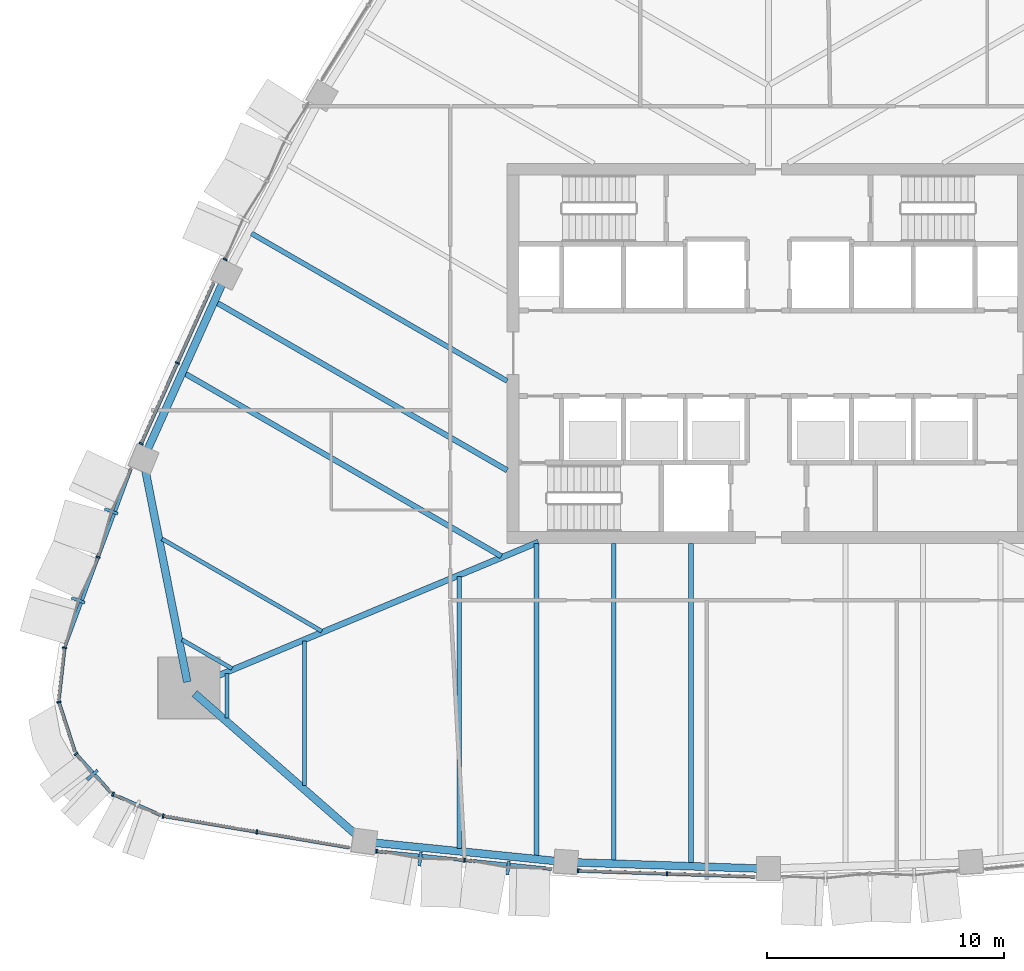
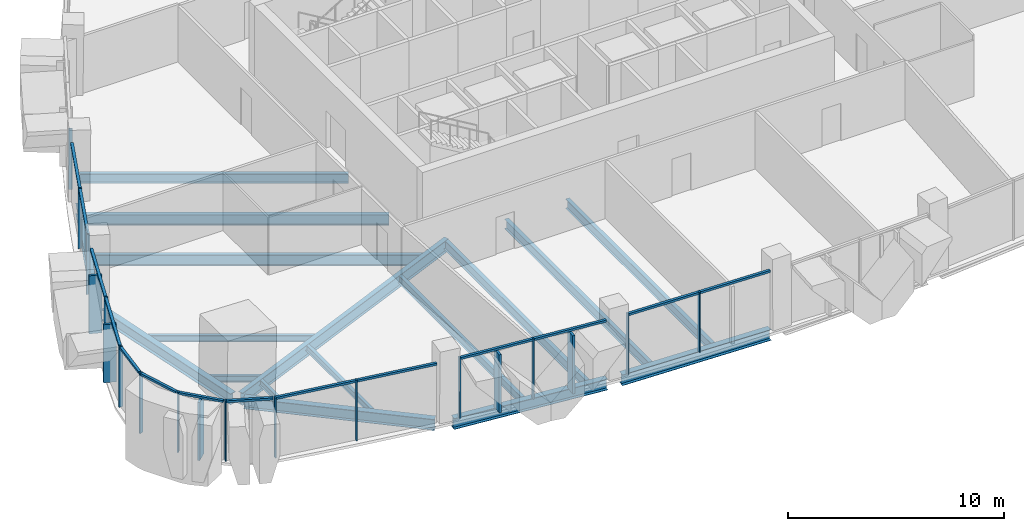
# One storey, part 2 of 17: 33 members, 17 beams, 10 elements without a shape of their own.
"""IFC4 building model written with IfcOpenShell, lengths in metres."""

from ifc_helpers import new_model, si_unit, direction, frame, origin, origin_2d, place, context, subcontext, project, spatial, rectangle, i_section, extrude, material, layer, layer_set, material_profile, profile_set, type_object, element, aggregate, save


model = new_model("IFC4")

# Units and contexts
model_context = context("Model", 3, precision=1e-05, world=origin(), true_north=direction((0.0, 1.0)))
body_context = subcontext(model_context, "Body", "Model", "MODEL_VIEW")
ifc_project = project(units=[si_unit("LENGTHUNIT", "METRE"), si_unit("AREAUNIT", "SQUARE_METRE"), si_unit("VOLUMEUNIT", "CUBIC_METRE"), si_unit("PLANEANGLEUNIT", "RADIAN"), si_unit("MASSUNIT", "GRAM", prefix="KILO")], contexts=[model_context])

# Site, building, storey
site_placement = place(None, origin())
site = spatial("IfcSite", under=ifc_project, at=site_placement, CompositionType="ELEMENT")
building_placement = place(site_placement, origin())
building = spatial("IfcBuilding", under=site, at=building_placement, Name="Sierra Prisma Convention Tower", CompositionType="ELEMENT")
storey_placement = place(building_placement, frame((0.0, 0.0, 149.800048828125)))
storey = spatial("IfcBuildingStorey", under=building, at=storey_placement, Name="L32", CompositionType="ELEMENT", Elevation=149.800048828125)

# Curtain wall, members
ifc_material_1 = material(Name="Aluminium and glass curtain wall", Category="aluminium")
ifc_layer_1 = layer(ifc_material_1, 0.179931640625)
ifc_layer_set_1 = layer_set([ifc_layer_1], Name="CW-2 Faceted crystal curtain wall")
curtain_wall_type_1 = type_object("IfcCurtainWallType", Name="CW-2 Faceted crystal curtain wall", PredefinedType="NOTDEFINED", material=ifc_layer_set_1)
curtain_wall_1_placement = place(storey_placement, origin())
curtain_wall_1 = element("IfcCurtainWall", 1, at=curtain_wall_1_placement, inside=storey, type_object=curtain_wall_type_1, Name="CW-2 S2 L32", PredefinedType="NOTDEFINED")
ifc_material_2 = material(Name="Aluminium 6063-T6 bronze anodised", Category="aluminium")
ifc_material_profile_1 = material_profile(ifc_material_2, rectangle(XDim=0.1201171875, YDim=0.60009765625, at=origin_2d()), Name="ALU RIDGE BLADE 120x600")
ifc_profile_set_1 = profile_set([ifc_material_profile_1], Name="Aluminium 6063-T6 bronze anodised")
member_type_1 = type_object("IfcMemberType", Name="CW hip bronze", PredefinedType="MULLION", material=ifc_profile_set_1)
member_1_placement = place(storey_placement, frame((-14.662841796875, -21.301025390625, 0.0), z_axis=(0.0, 0.0, 1.0), x_axis=(0.994927207032, -0.10059747863, 0.0)))
member_1 = element("IfcMember", 2, at=member_1_placement, type_object=member_type_1, Name="CW-2 ridge S2.1", PredefinedType="MULLION", context=body_context, shape_type="SweptSolid", body=[
    extrude(rectangle(XDim=0.1201171875, YDim=0.60009765625, at=origin_2d()), origin(), (0.0, 0.0, 1.0), 3.280029296875),
])
member_2_placement = place(storey_placement, frame((-10.95751953125, -21.67578125, 0.0), z_axis=(0.0, 0.0, 1.0), x_axis=(0.994927207032, -0.10059747863, 0.0)))
member_2 = element("IfcMember", 3, at=member_2_placement, type_object=member_type_1, Name="CW-2 ridge S2.2", PredefinedType="MULLION", context=body_context, shape_type="SweptSolid", body=[
    extrude(rectangle(XDim=0.1201171875, YDim=0.60009765625, at=origin_2d()), origin(), (0.0, 0.0, 1.0), 3.280029296875),
])

curtain_wall_2_placement = place(storey_placement, origin())
curtain_wall_2 = element("IfcCurtainWall", 4, at=curtain_wall_2_placement, inside=storey, type_object=curtain_wall_type_1, Name="CW-2 NW6 L32", PredefinedType="NOTDEFINED")
member_3_placement = place(storey_placement, frame((-27.676513671875, -6.654541015625, 0.0), z_axis=(0.0, 0.0, 1.0), x_axis=(-0.348201851522, -0.937419580869, 0.0)))
member_3 = element("IfcMember", 5, at=member_3_placement, type_object=member_type_1, Name="CW-2 ridge NW6.1", PredefinedType="MULLION", context=body_context, shape_type="SweptSolid", body=[
    extrude(rectangle(XDim=0.1201171875, YDim=0.60009765625, at=origin_2d()), origin(), (0.0, 0.0, 1.0), 3.280029296875),
])
member_4_placement = place(storey_placement, frame((-29.068115234375, -10.40087890625, 0.0), z_axis=(0.0, 0.0, 1.0), x_axis=(-0.348201851522, -0.937419580869, 0.0)))
member_4 = element("IfcMember", 6, at=member_4_placement, type_object=member_type_1, Name="CW-2 ridge NW6.2", PredefinedType="MULLION", context=body_context, shape_type="SweptSolid", body=[
    extrude(rectangle(XDim=0.1201171875, YDim=0.60009765625, at=origin_2d()), origin(), (0.0, 0.0, 1.0), 3.280029296875),
])

# Curtain wall, member
curtain_wall_3_placement = place(storey_placement, origin())
curtain_wall_3 = element("IfcCurtainWall", 7, at=curtain_wall_3_placement, inside=storey, type_object=curtain_wall_type_1, Name="CW-2 SW3 L32", PredefinedType="NOTDEFINED")
member_5_placement = place(storey_placement, frame((-28.468017578125, -17.758056640625, 0.0), z_axis=(0.0, 0.0, 1.0), x_axis=(0.670597689137, -0.741821231378, 0.0)))
member_5 = element("IfcMember", 8, at=member_5_placement, type_object=member_type_1, Name="CW-2 ridge SW3.1", PredefinedType="MULLION", context=body_context, shape_type="SweptSolid", body=[
    extrude(rectangle(XDim=0.1201171875, YDim=0.60009765625, at=origin_2d()), origin(), (0.0, 0.0, 1.0), 3.280029296875),
])

# Curtain wall, members
ifc_material_3 = material(Name="Aluminium and glass curtain wall", Category="aluminium")
ifc_layer_2 = layer(ifc_material_3, 0.179931640625)
ifc_layer_set_2 = layer_set([ifc_layer_2], Name="CW-1 Plain shaft curtain wall")
curtain_wall_type_2 = type_object("IfcCurtainWallType", Name="CW-1 Plain shaft curtain wall", PredefinedType="NOTDEFINED", material=ifc_layer_set_2)
curtain_wall_4_placement = place(storey_placement, origin())
curtain_wall_4 = element("IfcCurtainWall", 9, at=curtain_wall_4_placement, inside=storey, type_object=curtain_wall_type_2, Name="CW-1 S1 L32", PredefinedType="NOTDEFINED")
ifc_material_4 = material(Name="Aluminium 6063-T6 bronze anodised", Category="aluminium")
ifc_material_profile_2 = material_profile(ifc_material_4, rectangle(XDim=0.179931640625, YDim=0.070068359375, at=origin_2d()), Name="ALU MULLION 70x180")
ifc_profile_set_2 = profile_set([ifc_material_profile_2], Name="Aluminium 6063-T6 bronze anodised")
member_type_2 = type_object("IfcMemberType", Name="CW mullion bronze", PredefinedType="MULLION", material=ifc_profile_set_2)
member_6_placement = place(storey_placement, frame((-25.48583984375, -19.48681640625, 0.0), z_axis=(0.0, 0.0, 1.0), x_axis=(0.167158141372, 0.985930096799, 0.0)))
member_6 = element("IfcMember", 10, at=member_6_placement, type_object=member_type_2, Name="CW-1 mullion S1.1", PredefinedType="MULLION", context=body_context, shape_type="SweptSolid", body=[
    extrude(rectangle(XDim=0.179931640625, YDim=0.070068359375, at=origin_2d()), origin(), (0.0, 0.0, 1.0), 3.39990234375),
])
member_7_placement = place(storey_placement, frame((-21.545654296875, -20.155029296875, 0.0), z_axis=(0.0, 0.0, 1.0), x_axis=(0.167158141372, 0.985930096799, 0.0)))
member_7 = element("IfcMember", 11, at=member_7_placement, type_object=member_type_2, Name="CW-1 mullion S1.2", PredefinedType="MULLION", context=body_context, shape_type="SweptSolid", body=[
    extrude(rectangle(XDim=0.179931640625, YDim=0.070068359375, at=origin_2d()), origin(), (0.0, 0.0, 1.0), 3.39990234375),
])

# Member
member_8_placement = place(storey_placement, frame((-16.5009765625, -20.970703125, 0.0), z_axis=(0.0, 0.0, 1.0), x_axis=(0.10059747863, 0.994927207032, 0.0)))
member_8 = element("IfcMember", 12, at=member_8_placement, type_object=member_type_2, Name="CW-1 mullion S2.1", PredefinedType="MULLION", context=body_context, shape_type="SweptSolid", body=[
    extrude(rectangle(XDim=0.179931640625, YDim=0.070068359375, at=origin_2d()), origin(), (0.0, 0.0, 1.0), 3.39990234375),
])

member_9_placement = place(storey_placement, frame((-12.795654296875, -21.345458984375, 0.0), z_axis=(0.0, 0.0, 1.0), x_axis=(0.10059747863, 0.994927207032, 0.0)))
member_9 = element("IfcMember", 13, at=member_9_placement, type_object=member_type_2, Name="CW-1 mullion S2.2", PredefinedType="MULLION", context=body_context, shape_type="SweptSolid", body=[
    extrude(rectangle(XDim=0.179931640625, YDim=0.070068359375, at=origin_2d()), origin(), (0.0, 0.0, 1.0), 3.39990234375),
])

# Curtain wall, members
curtain_wall_5_placement = place(storey_placement, origin())
curtain_wall_5 = element("IfcCurtainWall", 14, at=curtain_wall_5_placement, inside=storey, type_object=curtain_wall_type_2, Name="CW-1 S3 L32", PredefinedType="NOTDEFINED")
member_10_placement = place(storey_placement, frame((-8.010986328125, -21.792236328125, 0.0), z_axis=(0.0, 0.0, 1.0), x_axis=(0.033582993519, 0.999435932187, 0.0)))
member_10 = element("IfcMember", 15, at=member_10_placement, type_object=member_type_2, Name="CW-1 mullion S3.1", PredefinedType="MULLION", context=body_context, shape_type="SweptSolid", body=[
    extrude(rectangle(XDim=0.179931640625, YDim=0.070068359375, at=origin_2d()), origin(), (0.0, 0.0, 1.0), 3.39990234375),
])
member_11_placement = place(storey_placement, frame((-4.272705078125, -21.91796875, 0.0), z_axis=(0.0, 0.0, 1.0), x_axis=(0.033582993519, 0.999435932187, 0.0)))
member_11 = element("IfcMember", 16, at=member_11_placement, type_object=member_type_2, Name="CW-1 mullion S3.2", PredefinedType="MULLION", context=body_context, shape_type="SweptSolid", body=[
    extrude(rectangle(XDim=0.179931640625, YDim=0.070068359375, at=origin_2d()), origin(), (0.0, 0.0, 1.0), 3.39990234375),
])

# Curtain wall, member
curtain_wall_6_placement = place(storey_placement, origin())
curtain_wall_6 = element("IfcCurtainWall", 17, at=curtain_wall_6_placement, inside=storey, type_object=curtain_wall_type_1, Name="CW-2 NW4 L32", PredefinedType="NOTDEFINED")
member_12_placement = place(storey_placement, frame((-22.878173828125, 3.95849609375, 0.0), z_axis=(0.0, 0.0, 1.0), x_axis=(0.882328403488, -0.470634240571, 0.0)))
member_12 = element("IfcMember", 18, at=member_12_placement, type_object=member_type_2, Name="CW-1 mullion NW4.3", PredefinedType="MULLION", context=body_context, shape_type="SweptSolid", body=[
    extrude(rectangle(XDim=0.179931640625, YDim=0.070068359375, at=origin_2d()), origin(), (0.0, 0.0, 1.0), 3.39990234375),
])
aggregate(curtain_wall_6, [member_12])

# Curtain wall, members
curtain_wall_7_placement = place(storey_placement, origin())
curtain_wall_7 = element("IfcCurtainWall", 19, at=curtain_wall_7_placement, inside=storey, type_object=curtain_wall_type_2, Name="CW-1 NW5 L32", PredefinedType="NOTDEFINED")
member_13_placement = place(storey_placement, frame((-24.883544921875, -0.40869140625, 0.0), z_axis=(0.0, 0.0, 1.0), x_axis=(0.911930975521, -0.410343631466, 0.0)))
member_13 = element("IfcMember", 20, at=member_13_placement, type_object=member_type_2, Name="CW-1 mullion NW5.2", PredefinedType="MULLION", context=body_context, shape_type="SweptSolid", body=[
    extrude(rectangle(XDim=0.179931640625, YDim=0.070068359375, at=origin_2d()), origin(), (0.0, 0.0, 1.0), 3.39990234375),
])
member_14_placement = place(storey_placement, frame((-26.41162109375, -3.804931640625, 0.0), z_axis=(0.0, 0.0, 1.0), x_axis=(0.911930975521, -0.410343631466, 0.0)))
member_14 = element("IfcMember", 21, at=member_14_placement, type_object=member_type_2, Name="CW-1 mullion NW5.3", PredefinedType="MULLION", context=body_context, shape_type="SweptSolid", body=[
    extrude(rectangle(XDim=0.179931640625, YDim=0.070068359375, at=origin_2d()), origin(), (0.0, 0.0, 1.0), 3.39990234375),
])

# Member
member_15_placement = place(storey_placement, frame((-28.2275390625, -8.58154296875, 0.0), z_axis=(0.0, 0.0, 1.0), x_axis=(0.937419580869, -0.348201851522, 0.0)))
member_15 = element("IfcMember", 22, at=member_15_placement, type_object=member_type_2, Name="CW-1 mullion NW6.2", PredefinedType="MULLION", context=body_context, shape_type="SweptSolid", body=[
    extrude(rectangle(XDim=0.179931640625, YDim=0.070068359375, at=origin_2d()), origin(), (0.0, 0.0, 1.0), 3.39990234375),
])

# Curtain wall, member
curtain_wall_8_placement = place(storey_placement, origin())
curtain_wall_8 = element("IfcCurtainWall", 23, at=curtain_wall_8_placement, inside=storey, type_object=curtain_wall_type_2, Name="CW-1 SW1 L32", PredefinedType="NOTDEFINED")
member_16_placement = place(storey_placement, frame((-29.63525390625, -12.3955078125, 0.0), z_axis=(0.0, 0.0, 1.0), x_axis=(0.993884808605, -0.110421860265, 0.0)))
member_16 = element("IfcMember", 24, at=member_16_placement, type_object=member_type_2, Name="CW-1 mullion SW1.1", PredefinedType="MULLION", context=body_context, shape_type="SweptSolid", body=[
    extrude(rectangle(XDim=0.179931640625, YDim=0.070068359375, at=origin_2d()), origin(), (0.0, 0.0, 1.0), 3.39990234375),
])

curtain_wall_9_placement = place(storey_placement, origin())
curtain_wall_9 = element("IfcCurtainWall", 25, at=curtain_wall_9_placement, inside=storey, type_object=curtain_wall_type_2, Name="CW-1 SW2 L32", PredefinedType="NOTDEFINED")
member_17_placement = place(storey_placement, frame((-29.875, -14.685302734375, 0.0), z_axis=(0.0, 0.0, 1.0), x_axis=(0.951665250201, 0.307137186872, 0.0)))
member_17 = element("IfcMember", 26, at=member_17_placement, type_object=member_type_2, Name="CW-1 mullion SW2.1", PredefinedType="MULLION", context=body_context, shape_type="SweptSolid", body=[
    extrude(rectangle(XDim=0.179931640625, YDim=0.070068359375, at=origin_2d()), origin(), (0.0, 0.0, 1.0), 3.39990234375),
])

# Member
member_18_placement = place(storey_placement, frame((-29.154296875, -16.871826171875, 0.0), z_axis=(0.0, 0.0, 1.0), x_axis=(0.741821231378, 0.670597689137, 0.0)))
member_18 = element("IfcMember", 27, at=member_18_placement, type_object=member_type_2, Name="CW-1 mullion SW3.1", PredefinedType="MULLION", context=body_context, shape_type="SweptSolid", body=[
    extrude(rectangle(XDim=0.179931640625, YDim=0.070068359375, at=origin_2d()), origin(), (0.0, 0.0, 1.0), 3.39990234375),
])

# Curtain wall, member
curtain_wall_10_placement = place(storey_placement, origin())
curtain_wall_10 = element("IfcCurtainWall", 28, at=curtain_wall_10_placement, inside=storey, type_object=curtain_wall_type_1, Name="CW-2 SW4 L32", PredefinedType="NOTDEFINED")
member_19_placement = place(storey_placement, frame((-27.599853515625, -18.570068359375, 0.0), z_axis=(0.0, 0.0, 1.0), x_axis=(0.40131426818, 0.91594042282, 0.0)))
member_19 = element("IfcMember", 29, at=member_19_placement, type_object=member_type_2, Name="CW-1 mullion SW4.1", PredefinedType="MULLION", context=body_context, shape_type="SweptSolid", body=[
    extrude(rectangle(XDim=0.179931640625, YDim=0.070068359375, at=origin_2d()), origin(), (0.0, 0.0, 1.0), 3.39990234375),
])

# Member
ifc_material_5 = material(Name="Aluminium 6063-T6 bronze anodised", Category="aluminium")
ifc_material_profile_3 = material_profile(ifc_material_5, rectangle(XDim=0.139892578125, YDim=0.1201171875, at=origin_2d()), Name="ALU TRANSOM 120x140")
ifc_profile_set_3 = profile_set([ifc_material_profile_3], Name="Aluminium 6063-T6 bronze anodised")
member_type_3 = type_object("IfcMemberType", Name="CW transom bronze", PredefinedType="USERDEFINED", material=ifc_profile_set_3)
member_20_placement = place(storey_placement, frame((-25.451416015625, -19.49267578125, 3.33984375), z_axis=(0.985924490322, -0.167191206059, 0.0), x_axis=(0.167191206059, 0.985924490322, 0.0)))
member_20 = element("IfcMember", 30, at=member_20_placement, type_object=member_type_3, Name="CW-1 transom S1.1", ObjectType="TRANSOM", PredefinedType="USERDEFINED", context=body_context, shape_type="SweptSolid", body=[
    extrude(rectangle(XDim=0.139892578125, YDim=0.1201171875, at=origin_2d()), origin(), (0.0, 0.0, 1.0), 3.926513671875),
])

member_21_placement = place(storey_placement, frame((-21.510986328125, -20.160888671875, 3.33984375), z_axis=(0.985933000614, -0.167141013222, 0.0), x_axis=(0.167141013222, 0.985933000614, 0.0)))
member_21 = element("IfcMember", 31, at=member_21_placement, type_object=member_type_3, Name="CW-1 transom S1.2", ObjectType="TRANSOM", PredefinedType="USERDEFINED", context=body_context, shape_type="SweptSolid", body=[
    extrude(rectangle(XDim=0.139892578125, YDim=0.1201171875, at=origin_2d()), origin(), (0.0, 0.0, 1.0), 3.92626953125),
])

aggregate(curtain_wall_4, [member_6, member_7, member_20, member_21])

member_22_placement = place(storey_placement, frame((-16.466064453125, -20.974365234375, 3.33984375), z_axis=(0.994931451402, -0.100555492201, 0.0), x_axis=(0.100555492201, 0.994931451402, 0.0)))
member_22 = element("IfcMember", 32, at=member_22_placement, type_object=member_type_3, Name="CW-1 transom S2.1", ObjectType="TRANSOM", PredefinedType="USERDEFINED", context=body_context, shape_type="SweptSolid", body=[
    extrude(rectangle(XDim=0.139892578125, YDim=0.1201171875, at=origin_2d()), origin(), (0.0, 0.0, 1.0), 3.654052734375),
])

member_23_placement = place(storey_placement, frame((-12.760986328125, -21.348876953125, 3.33984375), z_axis=(0.994925441162, -0.100614941874, 0.0), x_axis=(0.100614941874, 0.994925441162, 0.0)))
member_23 = element("IfcMember", 33, at=member_23_placement, type_object=member_type_3, Name="CW-1 transom S2.2", ObjectType="TRANSOM", PredefinedType="USERDEFINED", context=body_context, shape_type="SweptSolid", body=[
    extrude(rectangle(XDim=0.139892578125, YDim=0.1201171875, at=origin_2d()), origin(), (0.0, 0.0, 1.0), 3.654296875),
])

aggregate(curtain_wall_1, [member_8, member_9, member_22, member_1, member_23, member_2])

member_24_placement = place(storey_placement, frame((-7.975830078125, -21.79345703125, 3.33984375), z_axis=(0.999435565186, -0.033593913766, 0.0), x_axis=(0.033593913766, 0.999435565186, 0.0)))
member_24 = element("IfcMember", 34, at=member_24_placement, type_object=member_type_3, Name="CW-1 transom S3.1", ObjectType="TRANSOM", PredefinedType="USERDEFINED", context=body_context, shape_type="SweptSolid", body=[
    extrude(rectangle(XDim=0.139892578125, YDim=0.1201171875, at=origin_2d()), origin(), (0.0, 0.0, 1.0), 3.669921875),
])

member_25_placement = place(storey_placement, frame((-4.23779296875, -21.9189453125, 3.33984375), z_axis=(0.999435640252, -0.033591680421, 0.0), x_axis=(0.033591680421, 0.999435640252, 0.0)))
member_25 = element("IfcMember", 35, at=member_25_placement, type_object=member_type_3, Name="CW-1 transom S3.2", ObjectType="TRANSOM", PredefinedType="USERDEFINED", context=body_context, shape_type="SweptSolid", body=[
    extrude(rectangle(XDim=0.139892578125, YDim=0.1201171875, at=origin_2d()), origin(), (0.0, 0.0, 1.0), 3.670166015625),
])

aggregate(curtain_wall_5, [member_10, member_11, member_24, member_25])

member_26_placement = place(storey_placement, frame((-23.36962890625, 2.95556640625, 3.33984375), z_axis=(-0.410361899264, -0.911922755299, 0.0), x_axis=(0.911922755299, -0.410361899264, 0.0)))
member_26 = element("IfcMember", 36, at=member_26_placement, type_object=member_type_3, Name="CW-1 transom NW5.1", ObjectType="TRANSOM", PredefinedType="USERDEFINED", context=body_context, shape_type="SweptSolid", body=[
    extrude(rectangle(XDim=0.139892578125, YDim=0.1201171875, at=origin_2d()), origin(), (0.0, 0.0, 1.0), 3.654052734375),
])

member_27_placement = place(storey_placement, frame((-24.89794921875, -0.440673828125, 3.33984375), z_axis=(-0.41030633556, -0.911947756727, 0.0), x_axis=(0.911947756727, -0.41030633556, 0.0)))
member_27 = element("IfcMember", 37, at=member_27_placement, type_object=member_type_3, Name="CW-1 transom NW5.2", ObjectType="TRANSOM", PredefinedType="USERDEFINED", context=body_context, shape_type="SweptSolid", body=[
    extrude(rectangle(XDim=0.139892578125, YDim=0.1201171875, at=origin_2d()), origin(), (0.0, 0.0, 1.0), 3.654052734375),
])

aggregate(curtain_wall_7, [member_13, member_14, member_26, member_27])

member_28_placement = place(storey_placement, frame((-26.84814453125, -4.867919921875, 3.33984375), z_axis=(-0.348184968516, -0.937425851841, 0.0), x_axis=(0.937425851841, -0.348184968516, 0.0)))
member_28 = element("IfcMember", 38, at=member_28_placement, type_object=member_type_3, Name="CW-1 transom NW6.1", ObjectType="TRANSOM", PredefinedType="USERDEFINED", context=body_context, shape_type="SweptSolid", body=[
    extrude(rectangle(XDim=0.139892578125, YDim=0.1201171875, at=origin_2d()), origin(), (0.0, 0.0, 1.0), 3.926513671875),
])

member_29_placement = place(storey_placement, frame((-28.23974609375, -8.6142578125, 3.33984375), z_axis=(-0.348184968516, -0.937425851841, 0.0), x_axis=(0.937425851841, -0.348184968516, 0.0)))
member_29 = element("IfcMember", 39, at=member_29_placement, type_object=member_type_3, Name="CW-1 transom NW6.2", ObjectType="TRANSOM", PredefinedType="USERDEFINED", context=body_context, shape_type="SweptSolid", body=[
    extrude(rectangle(XDim=0.139892578125, YDim=0.1201171875, at=origin_2d()), origin(), (0.0, 0.0, 1.0), 3.926513671875),
])

aggregate(curtain_wall_2, [member_15, member_28, member_3, member_29, member_4])

member_30_placement = place(storey_placement, frame((-29.638916015625, -12.430419921875, 3.33984375), z_axis=(-0.110505783013, -0.993875481094, 0.0), x_axis=(0.993875481094, -0.110505783013, 0.0)))
member_30 = element("IfcMember", 40, at=member_30_placement, type_object=member_type_3, Name="CW-1 transom SW1.1", ObjectType="TRANSOM", PredefinedType="USERDEFINED", context=body_context, shape_type="SweptSolid", body=[
    extrude(rectangle(XDim=0.139892578125, YDim=0.1201171875, at=origin_2d()), origin(), (0.0, 0.0, 1.0), 2.1650390625),
])

aggregate(curtain_wall_8, [member_16, member_30])

member_31_placement = place(storey_placement, frame((-29.8642578125, -14.718505859375, 3.33984375), z_axis=(0.307114778007, -0.95167248207, 0.0), x_axis=(0.95167248207, 0.307114778007, 0.0)))
member_31 = element("IfcMember", 41, at=member_31_placement, type_object=member_type_3, Name="CW-1 transom SW2.1", ObjectType="TRANSOM", PredefinedType="USERDEFINED", context=body_context, shape_type="SweptSolid", body=[
    extrude(rectangle(XDim=0.139892578125, YDim=0.1201171875, at=origin_2d()), origin(), (0.0, 0.0, 1.0), 2.16552734375),
])

aggregate(curtain_wall_9, [member_17, member_31])

member_32_placement = place(storey_placement, frame((-29.130859375, -16.897705078125, 3.33984375), z_axis=(0.670638712752, -0.741784144451, 0.0), x_axis=(0.741784144451, 0.670638712752, 0.0)))
member_32 = element("IfcMember", 42, at=member_32_placement, type_object=member_type_3, Name="CW-1 transom SW3.1", ObjectType="TRANSOM", PredefinedType="USERDEFINED", context=body_context, shape_type="SweptSolid", body=[
    extrude(rectangle(XDim=0.139892578125, YDim=0.1201171875, at=origin_2d()), origin(), (0.0, 0.0, 1.0), 2.165283203125),
])

aggregate(curtain_wall_3, [member_18, member_32, member_5])

member_33_placement = place(storey_placement, frame((-27.567626953125, -18.583984375, 3.33984375), z_axis=(0.915942406451, -0.401309740805, 0.0), x_axis=(0.401309740805, 0.915942406451, 0.0)))
member_33 = element("IfcMember", 43, at=member_33_placement, type_object=member_type_3, Name="CW-1 transom SW4.1", ObjectType="TRANSOM", PredefinedType="USERDEFINED", context=body_context, shape_type="SweptSolid", body=[
    extrude(rectangle(XDim=0.139892578125, YDim=0.1201171875, at=origin_2d()), origin(), (0.0, 0.0, 1.0), 2.1650390625),
])

aggregate(curtain_wall_10, [member_19, member_33])

# Beams
ifc_material_6 = material(Name="Steel ASTM A992 Gr 50", Category="steel")
ifc_material_profile_4 = material_profile(ifc_material_6, i_section(OverallWidth=0.172119140625, OverallDepth=0.35791015625, WebThickness=0.0078125, FlangeThickness=0.01318359375, at=origin_2d()), Name="W360x57")
ifc_profile_set_4 = profile_set([ifc_material_profile_4], Name="Steel ASTM A992 Gr 50")
beam_type_1 = type_object("IfcBeamType", Name="Floor joist W360x57", PredefinedType="JOIST", material=ifc_profile_set_4)
beam_1_placement = place(storey_placement, frame((-22.792724609375, -15.35791015625, -0.3291015625), z_axis=(0.0, 1.0, 0.0), x_axis=(-1.0, 0.0, 0.0)))
element("IfcBeam", 44, at=beam_1_placement, inside=storey, type_object=beam_type_1, Name="Floor joist L32 S01", PredefinedType="JOIST", context=body_context, shape_type="SweptSolid", body=[
    extrude(i_section(OverallWidth=0.172119140625, OverallDepth=0.35791015625, WebThickness=0.0078125, FlangeThickness=0.01318359375, at=origin_2d()), origin(), (0.0, 0.0, 1.0), 1.882568359375),
])
beam_2_placement = place(storey_placement, frame((-19.53662109375, -18.20703125, -0.3291015625), z_axis=(0.0, 1.0, 0.0), x_axis=(-1.0, 0.0, 0.0)))
element("IfcBeam", 45, at=beam_2_placement, inside=storey, type_object=beam_type_1, Name="Floor joist L32 S02", PredefinedType="JOIST", context=body_context, shape_type="SweptSolid", body=[
    extrude(i_section(OverallWidth=0.172119140625, OverallDepth=0.35791015625, WebThickness=0.0078125, FlangeThickness=0.01318359375, at=origin_2d()), origin(), (0.0, 0.0, 1.0), 6.090087890625),
])
beam_3_placement = place(storey_placement, frame((-25.5361328125, -7.815673828125, -0.3291015625), z_axis=(0.866024989886, -0.500000716893, 0.0), x_axis=(0.500000716893, 0.866024989886, 0.0)))
element("IfcBeam", 46, at=beam_3_placement, inside=storey, type_object=beam_type_1, Name="Floor joist L32 NW14", PredefinedType="JOIST", context=body_context, shape_type="SweptSolid", body=[
    extrude(i_section(OverallWidth=0.172119140625, OverallDepth=0.35791015625, WebThickness=0.0078125, FlangeThickness=0.01318359375, at=origin_2d()), origin(), (0.0, 0.0, 1.0), 7.77197265625),
])
beam_4_placement = place(storey_placement, frame((-24.69677734375, -12.06005859375, -0.3291015625), z_axis=(0.866015446554, -0.500017246033, 0.0), x_axis=(0.500017246033, 0.866015446554, 0.0)))
element("IfcBeam", 47, at=beam_4_placement, inside=storey, type_object=beam_type_1, Name="Floor joist L32 NW15", PredefinedType="JOIST", context=body_context, shape_type="SweptSolid", body=[
    extrude(i_section(OverallWidth=0.172119140625, OverallDepth=0.35791015625, WebThickness=0.0078125, FlangeThickness=0.01318359375, at=origin_2d()), origin(), (0.0, 0.0, 1.0), 2.4375),
])
ifc_material_7 = material(Name="Steel ASTM A992 Gr 50", Category="steel")
ifc_material_profile_5 = material_profile(ifc_material_7, i_section(OverallWidth=0.18994140625, OverallDepth=0.45703125, WebThickness=0.009033203125, FlangeThickness=0.014404296875, at=origin_2d()), Name="W460x74")
ifc_profile_set_5 = profile_set([ifc_material_profile_5], Name="Steel ASTM A992 Gr 50")
beam_type_2 = type_object("IfcBeamType", Name="Floor joist W460x74", PredefinedType="JOIST", material=ifc_profile_set_5)
beam_5_placement = place(storey_placement, frame((-13.0244140625, -20.857421875, -0.378662109375), z_axis=(0.0, 1.0, 0.0), x_axis=(-1.0, 0.0, 0.0)))
element("IfcBeam", 48, at=beam_5_placement, inside=storey, type_object=beam_type_2, Name="Floor joist L32 S04", PredefinedType="JOIST", context=body_context, shape_type="SweptSolid", body=[
    extrude(i_section(OverallWidth=0.18994140625, OverallDepth=0.45703125, WebThickness=0.009033203125, FlangeThickness=0.014404296875, at=origin_2d()), origin(), (0.0, 0.0, 1.0), 11.457275390625),
])
ifc_material_8 = material(Name="Steel ASTM A992 Gr 50", Category="steel")
ifc_material_profile_6 = material_profile(ifc_material_8, i_section(OverallWidth=0.208984375, OverallDepth=0.532958984375, WebThickness=0.01025390625, FlangeThickness=0.015625, at=origin_2d()), Name="W530x92")
ifc_profile_set_6 = profile_set([ifc_material_profile_6], Name="Steel ASTM A992 Gr 50")
beam_type_3 = type_object("IfcBeamType", Name="Floor joist W530x92", PredefinedType="JOIST", material=ifc_profile_set_6)
beam_6_placement = place(storey_placement, frame((-9.768310546875, -21.1865234375, -0.41650390625), z_axis=(0.0, 1.0, 0.0), x_axis=(-1.0, 0.0, 0.0)))
element("IfcBeam", 49, at=beam_6_placement, inside=storey, type_object=beam_type_3, Name="Floor joist L32 S05", PredefinedType="JOIST", context=body_context, shape_type="SweptSolid", body=[
    extrude(i_section(OverallWidth=0.208984375, OverallDepth=0.532958984375, WebThickness=0.01025390625, FlangeThickness=0.015625, at=origin_2d()), origin(), (0.0, 0.0, 1.0), 13.1865234375),
])
beam_7_placement = place(storey_placement, frame((-6.51220703125, -21.3798828125, -0.41650390625), z_axis=(0.0, 1.0, 0.0), x_axis=(-1.0, 0.0, 0.0)))
element("IfcBeam", 50, at=beam_7_placement, inside=storey, type_object=beam_type_3, Name="Floor joist L32 S06", PredefinedType="JOIST", context=body_context, shape_type="SweptSolid", body=[
    extrude(i_section(OverallWidth=0.208984375, OverallDepth=0.532958984375, WebThickness=0.01025390625, FlangeThickness=0.015625, at=origin_2d()), origin(), (0.0, 0.0, 1.0), 13.3798828125),
])
beam_8_placement = place(storey_placement, frame((-3.256103515625, -21.489501953125, -0.41650390625), z_axis=(0.0, 1.0, 0.0), x_axis=(-1.0, 0.0, 0.0)))
element("IfcBeam", 51, at=beam_8_placement, inside=storey, type_object=beam_type_3, Name="Floor joist L32 S07", PredefinedType="JOIST", context=body_context, shape_type="SweptSolid", body=[
    extrude(i_section(OverallWidth=0.208984375, OverallDepth=0.532958984375, WebThickness=0.01025390625, FlangeThickness=0.015625, at=origin_2d()), origin(), (0.0, 0.0, 1.0), 13.489501953125),
])
beam_9_placement = place(storey_placement, frame((-21.771728515625, 5.05029296875, -0.41650390625), z_axis=(0.866027709035, -0.499996007168, 0.0), x_axis=(0.499996007168, 0.866027709035, 0.0)))
element("IfcBeam", 52, at=beam_9_placement, inside=storey, type_object=beam_type_3, Name="Floor joist L32 NW10", PredefinedType="JOIST", context=body_context, shape_type="SweptSolid", body=[
    extrude(i_section(OverallWidth=0.208984375, OverallDepth=0.532958984375, WebThickness=0.01025390625, FlangeThickness=0.015625, at=origin_2d()), origin(), (0.0, 0.0, 1.0), 12.43798828125),
])
ifc_material_9 = material(Name="Steel ASTM A992 Gr 50", Category="steel")
ifc_material_profile_7 = material_profile(ifc_material_9, i_section(OverallWidth=0.22802734375, OverallDepth=0.60302734375, WebThickness=0.010498046875, FlangeThickness=0.014892578125, at=origin_2d()), Name="W610x101")
ifc_profile_set_7 = profile_set([ifc_material_profile_7], Name="Steel ASTM A992 Gr 50")
beam_type_4 = type_object("IfcBeamType", Name="Floor joist W610x101", PredefinedType="JOIST", material=ifc_profile_set_7)
beam_10_placement = place(storey_placement, frame((-23.232177734375, 2.133544921875, -0.45166015625), z_axis=(0.866025258114, -0.500000252309, 0.0), x_axis=(0.500000252309, 0.866025258114, 0.0)))
element("IfcBeam", 53, at=beam_10_placement, inside=storey, type_object=beam_type_4, Name="Floor joist L32 NW11", PredefinedType="JOIST", context=body_context, shape_type="SweptSolid", body=[
    extrude(i_section(OverallWidth=0.22802734375, OverallDepth=0.60302734375, WebThickness=0.010498046875, FlangeThickness=0.014892578125, at=origin_2d()), origin(), (0.0, 0.0, 1.0), 14.12451171875),
])
beam_11_placement = place(storey_placement, frame((-24.5751953125, -0.850830078125, -0.45166015625), z_axis=(0.866029758529, -0.499992457286, 0.0), x_axis=(0.499992457286, 0.866029758529, 0.0)))
element("IfcBeam", 54, at=beam_11_placement, inside=storey, type_object=beam_type_4, Name="Floor joist L32 NW12", PredefinedType="JOIST", context=body_context, shape_type="SweptSolid", body=[
    extrude(i_section(OverallWidth=0.22802734375, OverallDepth=0.60302734375, WebThickness=0.010498046875, FlangeThickness=0.014892578125, at=origin_2d()), origin(), (0.0, 0.0, 1.0), 15.393310546875),
])
ifc_material_10 = material(Name="Steel ASTM A992 Gr 50", Category="steel")
ifc_material_profile_8 = material_profile(ifc_material_10, i_section(OverallWidth=0.25390625, OverallDepth=0.68408203125, WebThickness=0.012451171875, FlangeThickness=0.018798828125, at=origin_2d()), Name="W690x140")
ifc_profile_set_8 = profile_set([ifc_material_profile_8], Name="Steel ASTM A992 Gr 50")
beam_type_5 = type_object("IfcBeamType", Name="Radial girder W690x140", PredefinedType="BEAM", material=ifc_profile_set_8)
beam_12_placement = place(storey_placement, frame((-24.160888671875, -13.990966796875, -0.491943359375), z_axis=(0.922912850028, 0.385008923603, 0.0), x_axis=(-0.385008923603, 0.922912850028, 0.0)))
element("IfcBeam", 55, at=beam_12_placement, inside=storey, type_object=beam_type_5, Name="Radial girder L32 SW", PredefinedType="BEAM", context=body_context, shape_type="SweptSolid", body=[
    extrude(i_section(OverallWidth=0.25390625, OverallDepth=0.68408203125, WebThickness=0.012451171875, FlangeThickness=0.018798828125, at=origin_2d()), origin(), (0.0, 0.0, 1.0), 15.680419921875),
])
ifc_material_11 = material(Name="Steel ASTM A992 Gr 50", Category="steel")
ifc_material_profile_9 = material_profile(ifc_material_11, i_section(OverallWidth=0.324951171875, OverallDepth=0.615966796875, WebThickness=0.013916015625, FlangeThickness=0.021484375, at=origin_2d()), Name="W610x174")
ifc_profile_set_9 = profile_set([ifc_material_profile_9], Name="Steel ASTM A992 Gr 50")
beam_type_6 = type_object("IfcBeamType", Name="Spandrel beam W610x174", PredefinedType="BEAM", material=ifc_profile_set_9)
beam_13_placement = place(storey_placement, frame((-24.160888671875, -14.326904296875, -0.4580078125), z_axis=(0.752580057606, -0.658500764536, 0.0), x_axis=(0.658500764536, 0.752580057606, 0.0)))
element("IfcBeam", 56, at=beam_13_placement, inside=storey, type_object=beam_type_6, Name="Spandrel L32-01", PredefinedType="BEAM", context=body_context, shape_type="SweptSolid", body=[
    extrude(i_section(OverallWidth=0.324951171875, OverallDepth=0.615966796875, WebThickness=0.013916015625, FlangeThickness=0.021484375, at=origin_2d()), origin(), (0.0, 0.0, 1.0), 8.994384765625),
])
beam_14_placement = place(storey_placement, frame((-16.652587890625, -20.603759765625, -0.4580078125), z_axis=(0.99492815091, -0.100588143076, 0.0), x_axis=(0.100588143076, 0.99492815091, 0.0)))
element("IfcBeam", 57, at=beam_14_placement, inside=storey, type_object=beam_type_6, Name="Spandrel L32-02", PredefinedType="BEAM", context=body_context, shape_type="SweptSolid", body=[
    extrude(i_section(OverallWidth=0.324951171875, OverallDepth=0.615966796875, WebThickness=0.013916015625, FlangeThickness=0.021484375, at=origin_2d()), origin(), (0.0, 0.0, 1.0), 7.779052734375),
])
for number, where, z_axis, x_axis, name in (
    (58, (-8.154541015625, -21.437255859375, -0.4580078125), (0.999434899796, -0.033613703608, 0.0), (0.033613703608, 0.999434899796, 0.0), "Spandrel L32-03"),
    (59, (-22.9775390625, 2.97412109375, -0.4580078125), (-0.410359457356, -0.911923854145, 0.0), (0.911923854145, -0.410359457356, 0.0), "Spandrel L32-17"),
):
    element("IfcBeam", number, at=place(storey_placement, frame(where, z_axis=z_axis, x_axis=x_axis)), inside=storey, type_object=beam_type_6, Name=name, PredefinedType="BEAM", context=body_context, shape_type="SweptSolid", body=[
        extrude(i_section(OverallWidth=0.324951171875, OverallDepth=0.615966796875, WebThickness=0.013916015625, FlangeThickness=0.021484375, at=origin_2d()), origin(), (0.0, 0.0, 1.0), 7.77880859375),
    ])
beam_15_placement = place(storey_placement, frame((-26.232666015625, -4.936767578125, -0.4580078125), z_axis=(0.193994511256, -0.981002614473, 0.0), x_axis=(0.981002614473, 0.193994511256, 0.0)))
element("IfcBeam", 60, at=beam_15_placement, inside=storey, type_object=beam_type_6, Name="Spandrel L32-18", PredefinedType="BEAM", context=body_context, shape_type="SweptSolid", body=[
    extrude(i_section(OverallWidth=0.324951171875, OverallDepth=0.615966796875, WebThickness=0.013916015625, FlangeThickness=0.021484375, at=origin_2d()), origin(), (0.0, 0.0, 1.0), 9.074951171875),
])

save(model, "model.ifc")
